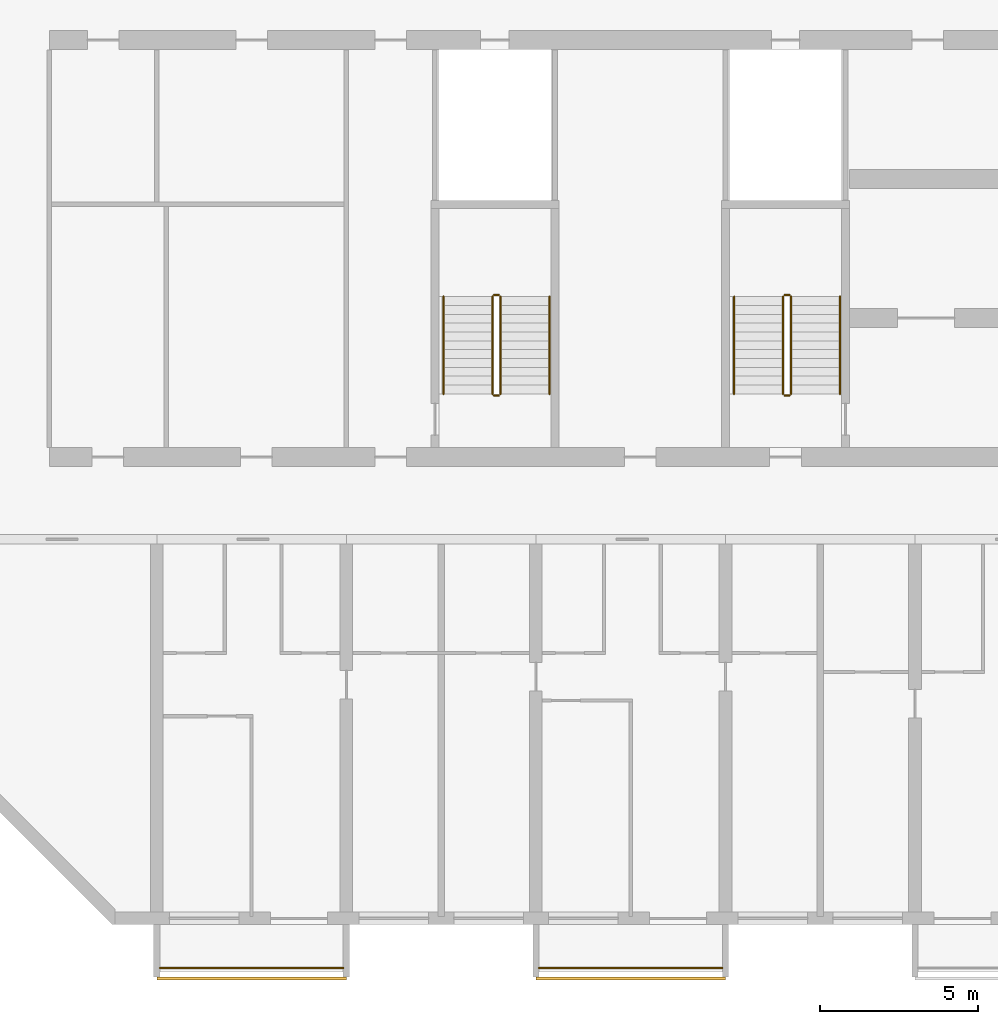
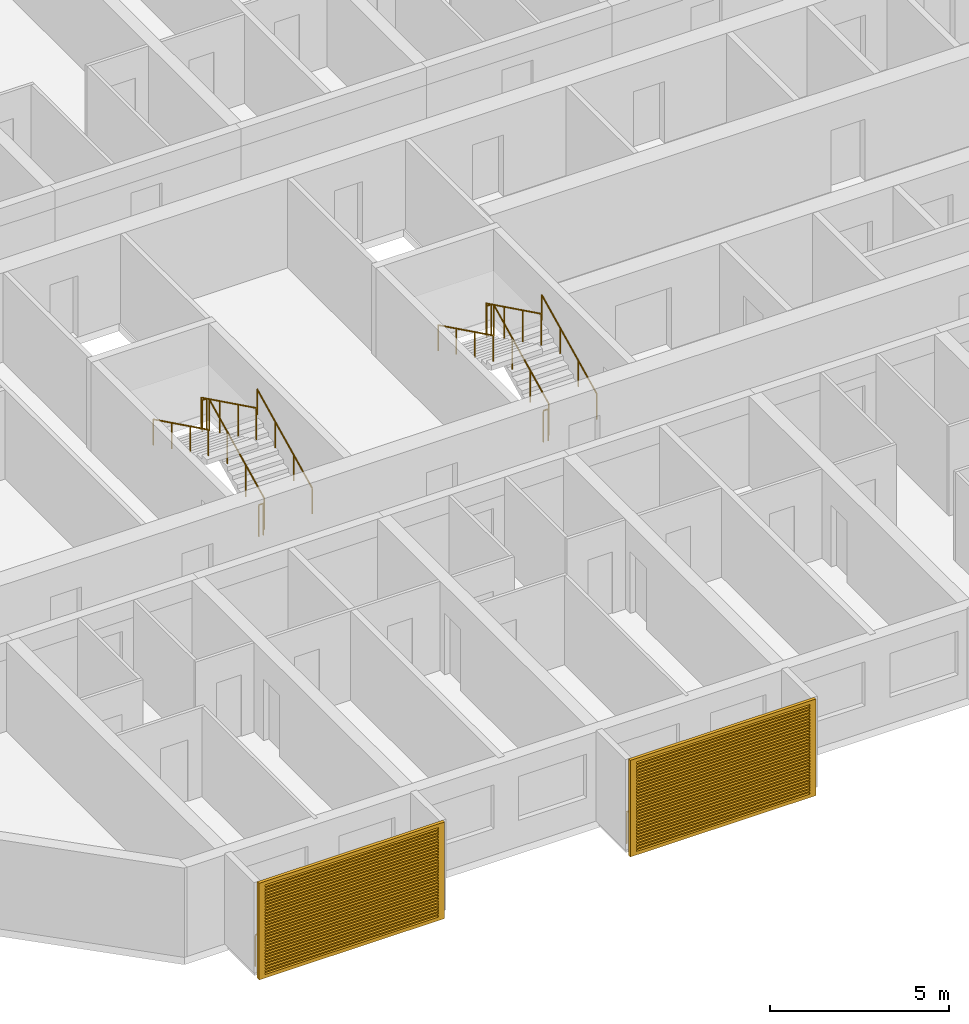
# One storey, part 18 of 39: 14 railings, 2 shading devices.
"""IFC4 building model written with IfcOpenShell, lengths in metres."""

from ifc_helpers import new_model, si_unit, direction, frame, origin, origin_2d, place, context, subcontext, project, spatial, polyline, circle, outline, extrude, source, transform, mapped, material, material_profile, profile_set, type_object, element, save


model = new_model("IFC4")

# Units and contexts
model_context = context("Model", 3, precision=1e-05, world=origin(), true_north=direction((0.0, 1.0)))
body_context = subcontext(model_context, "Body", "Model", "MODEL_VIEW")
ifc_project = project(units=[si_unit("LENGTHUNIT", "METRE"), si_unit("AREAUNIT", "SQUARE_METRE"), si_unit("VOLUMEUNIT", "CUBIC_METRE"), si_unit("PLANEANGLEUNIT", "RADIAN"), si_unit("MASSUNIT", "GRAM", prefix="KILO")], contexts=[model_context])

# Site, building, storey
site_placement = place(None, origin())
site = spatial("IfcSite", under=ifc_project, at=site_placement, CompositionType="ELEMENT")
building_placement = place(site_placement, origin())
building = spatial("IfcBuilding", under=site, at=building_placement, Name="Poui Terraces", CompositionType="ELEMENT")
storey_placement = place(building_placement, frame((0.0, 0.0, 59.699951171875)))
storey = spatial("IfcBuildingStorey", under=building, at=storey_placement, Name="L16", CompositionType="ELEMENT", Elevation=59.699951171875)

# Railings
ifc_material_1 = material(Name="Painted steel fretwork", Category="steel")
railing_type_1 = type_object("IfcRailingType", Name="BALCONY GUARD 1100", PredefinedType="GUARDRAIL", material=ifc_material_1)
for number, where, name in (
    (1, (12.10009765625, -1.570068359375, 0.0), "BALCONY GUARD"),
    (2, (24.10009765625, -1.570068359375, 0.0), "BALCONY GUARD"),
):
    element("IfcRailing", number, at=place(storey_placement, frame(where)), inside=storey, type_object=railing_type_1, Name=name, PredefinedType="GUARDRAIL", context=body_context, shape_type="SweptSolid", body=[
        extrude(circle(Radius=0.02392578125, at=origin_2d()), frame((0.0, 0.0, 1.076171875), z_axis=(1.0, 0.0, 0.0), x_axis=(0.0, 1.0, 0.0)), (0.0, 0.0, 1.0), 5.7998046875),
        extrude(circle(Radius=0.02099609375, at=origin_2d()), origin(), (0.0, 0.0, 1.0), 1.052001953125),
        extrude(circle(Radius=0.02099609375, at=origin_2d()), frame((0.966552734375, 0.0, 0.0)), (0.0, 0.0, 1.0), 1.052001953125),
        extrude(circle(Radius=0.02099609375, at=origin_2d()), frame((1.933349609375, 0.0, 0.0)), (0.0, 0.0, 1.0), 1.052001953125),
        extrude(circle(Radius=0.02099609375, at=origin_2d()), frame((2.89990234375, 0.0, 0.0)), (0.0, 0.0, 1.0), 1.052001953125),
        extrude(circle(Radius=0.02099609375, at=origin_2d()), frame((3.866455078125, 0.0, 0.0)), (0.0, 0.0, 1.0), 1.052001953125),
        extrude(circle(Radius=0.02099609375, at=origin_2d()), frame((4.833251953125, 0.0, 0.0)), (0.0, 0.0, 1.0), 1.052001953125),
        extrude(circle(Radius=0.02099609375, at=origin_2d()), frame((5.7998046875, 0.0, 0.0)), (0.0, 0.0, 1.0), 1.052001953125),
    ])
ifc_material_2 = material(Name="Galvanised steel balustrade", Category="steel")
railing_type_2 = type_object("IfcRailingType", Name="STAIR GUARD 1100", PredefinedType="GUARDRAIL", material=ifc_material_2)
railing_1_placement = place(storey_placement, frame((32.074951171875, 16.60009765625, 0.137451171875)))
element("IfcRailing", 3, at=railing_1_placement, inside=storey, type_object=railing_type_2, Name="L16 ST-CW stair guard 1", PredefinedType="GUARDRAIL", context=body_context, shape_type="SweptSolid", body=[
    extrude(circle(Radius=0.02392578125, at=origin_2d()), frame((0.0, 0.0, 1.076171875), z_axis=(0.0, 0.897578036475, 0.440855609512), x_axis=(-1.0, 0.0, 0.0)), (0.0, 0.0, 1.0), 3.43115234375),
    extrude(circle(Radius=0.02099609375, at=origin_2d()), origin(), (0.0, 0.0, 1.0), 1.052001953125),
    extrude(circle(Radius=0.02099609375, at=origin_2d()), frame((0.0, 1.026611328125, 0.504150390625)), (0.0, 0.0, 1.0), 1.052001953125),
    extrude(circle(Radius=0.02099609375, at=origin_2d()), frame((0.0, 2.05322265625, 1.008544921875)), (0.0, 0.0, 1.0), 1.052001953125),
    extrude(circle(Radius=0.02099609375, at=origin_2d()), frame((0.0, 3.079833984375, 1.5126953125)), (0.0, 0.0, 1.0), 1.052001953125),
])
railing_2_placement = place(storey_placement, frame((32.02490234375, 19.72998046875, 1.650146484375)))
element("IfcRailing", 4, at=railing_2_placement, inside=storey, type_object=railing_type_2, Name="L16 ST-CW stair guard 2", PredefinedType="GUARDRAIL", context=body_context, shape_type="SweptSolid", body=[
    extrude(circle(Radius=0.02392578125, at=origin_2d()), frame((0.0, 0.0, 1.076171875), z_axis=(-1.0, 0.0, 0.0), x_axis=(0.0, -1.0, 0.0)), (0.0, 0.0, 1.0), 0.14990234375),
    extrude(circle(Radius=0.02099609375, at=origin_2d()), origin(), (0.0, 0.0, 1.0), 1.052001953125),
    extrude(circle(Radius=0.02099609375, at=origin_2d()), frame((-0.14990234375, 0.0, 0.0)), (0.0, 0.0, 1.0), 1.052001953125),
])
railing_3_placement = place(storey_placement, frame((31.824951171875, 19.679931640625, 1.78759765625)))
element("IfcRailing", 5, at=railing_3_placement, inside=storey, type_object=railing_type_2, Name="L16 ST-CW stair guard 3", PredefinedType="GUARDRAIL", context=body_context, shape_type="SweptSolid", body=[
    extrude(circle(Radius=0.02392578125, at=origin_2d()), frame((0.0, 0.0, 1.076171875), z_axis=(0.0, -0.897606190399, 0.440798283751), x_axis=(1.0, 0.0, 0.0)), (0.0, 0.0, 1.0), 3.43115234375),
    extrude(circle(Radius=0.02099609375, at=origin_2d()), origin(), (0.0, 0.0, 1.0), 1.052001953125),
    extrude(circle(Radius=0.02099609375, at=origin_2d()), frame((0.0, -1.026611328125, 0.504150390625)), (0.0, 0.0, 1.0), 1.052001953125),
    extrude(circle(Radius=0.02099609375, at=origin_2d()), frame((0.0, -2.05322265625, 1.00830078125)), (0.0, 0.0, 1.0), 1.052001953125),
    extrude(circle(Radius=0.02099609375, at=origin_2d()), frame((0.0, -3.079833984375, 1.512451171875)), (0.0, 0.0, 1.0), 1.052001953125),
])
railing_4_placement = place(storey_placement, frame((32.02490234375, 16.550048828125, 0.0)))
element("IfcRailing", 6, at=railing_4_placement, inside=storey, type_object=railing_type_2, Name="L16 ST-CW stair guard 4", PredefinedType="GUARDRAIL", context=body_context, shape_type="SweptSolid", body=[
    extrude(circle(Radius=0.02392578125, at=origin_2d()), frame((0.0, 0.0, 1.076171875), z_axis=(-1.0, 0.0, 0.0), x_axis=(0.0, -1.0, 0.0)), (0.0, 0.0, 1.0), 0.14990234375),
    extrude(circle(Radius=0.02099609375, at=origin_2d()), origin(), (0.0, 0.0, 1.0), 1.052001953125),
    extrude(circle(Radius=0.02099609375, at=origin_2d()), frame((-0.14990234375, 0.0, 0.0)), (0.0, 0.0, 1.0), 1.052001953125),
])
railing_5_placement = place(storey_placement, frame((22.875, 16.60009765625, 0.137451171875)))
element("IfcRailing", 7, at=railing_5_placement, inside=storey, type_object=railing_type_2, Name="L16 ST-W stair guard 1", PredefinedType="GUARDRAIL", context=body_context, shape_type="SweptSolid", body=[
    extrude(circle(Radius=0.02392578125, at=origin_2d()), frame((0.0, 0.0, 1.076171875), z_axis=(0.0, 0.897578036475, 0.440855609512), x_axis=(-1.0, 0.0, 0.0)), (0.0, 0.0, 1.0), 3.43115234375),
    extrude(circle(Radius=0.02099609375, at=origin_2d()), origin(), (0.0, 0.0, 1.0), 1.052001953125),
    extrude(circle(Radius=0.02099609375, at=origin_2d()), frame((0.0, 1.026611328125, 0.504150390625)), (0.0, 0.0, 1.0), 1.052001953125),
    extrude(circle(Radius=0.02099609375, at=origin_2d()), frame((0.0, 2.05322265625, 1.008544921875)), (0.0, 0.0, 1.0), 1.052001953125),
    extrude(circle(Radius=0.02099609375, at=origin_2d()), frame((0.0, 3.079833984375, 1.5126953125)), (0.0, 0.0, 1.0), 1.052001953125),
])
railing_6_placement = place(storey_placement, frame((22.824951171875, 19.72998046875, 1.650146484375)))
element("IfcRailing", 8, at=railing_6_placement, inside=storey, type_object=railing_type_2, Name="L16 ST-W stair guard 2", PredefinedType="GUARDRAIL", context=body_context, shape_type="SweptSolid", body=[
    extrude(circle(Radius=0.02392578125, at=origin_2d()), frame((0.0, 0.0, 1.076171875), z_axis=(-1.0, 0.0, 0.0), x_axis=(0.0, -1.0, 0.0)), (0.0, 0.0, 1.0), 0.14990234375),
    extrude(circle(Radius=0.02099609375, at=origin_2d()), origin(), (0.0, 0.0, 1.0), 1.052001953125),
    extrude(circle(Radius=0.02099609375, at=origin_2d()), frame((-0.14990234375, 0.0, 0.0)), (0.0, 0.0, 1.0), 1.052001953125),
])
railing_7_placement = place(storey_placement, frame((22.625, 19.679931640625, 1.78759765625)))
element("IfcRailing", 9, at=railing_7_placement, inside=storey, type_object=railing_type_2, Name="L16 ST-W stair guard 3", PredefinedType="GUARDRAIL", context=body_context, shape_type="SweptSolid", body=[
    extrude(circle(Radius=0.02392578125, at=origin_2d()), frame((0.0, 0.0, 1.076171875), z_axis=(0.0, -0.897606190399, 0.440798283751), x_axis=(1.0, 0.0, 0.0)), (0.0, 0.0, 1.0), 3.43115234375),
    extrude(circle(Radius=0.02099609375, at=origin_2d()), origin(), (0.0, 0.0, 1.0), 1.052001953125),
    extrude(circle(Radius=0.02099609375, at=origin_2d()), frame((0.0, -1.026611328125, 0.504150390625)), (0.0, 0.0, 1.0), 1.052001953125),
    extrude(circle(Radius=0.02099609375, at=origin_2d()), frame((0.0, -2.05322265625, 1.00830078125)), (0.0, 0.0, 1.0), 1.052001953125),
    extrude(circle(Radius=0.02099609375, at=origin_2d()), frame((0.0, -3.079833984375, 1.512451171875)), (0.0, 0.0, 1.0), 1.052001953125),
])
railing_8_placement = place(storey_placement, frame((22.824951171875, 16.550048828125, 0.0)))
element("IfcRailing", 10, at=railing_8_placement, inside=storey, type_object=railing_type_2, Name="L16 ST-W stair guard 4", PredefinedType="GUARDRAIL", context=body_context, shape_type="SweptSolid", body=[
    extrude(circle(Radius=0.02392578125, at=origin_2d()), frame((0.0, 0.0, 1.076171875), z_axis=(-1.0, 0.0, 0.0), x_axis=(0.0, -1.0, 0.0)), (0.0, 0.0, 1.0), 0.14990234375),
    extrude(circle(Radius=0.02099609375, at=origin_2d()), origin(), (0.0, 0.0, 1.0), 1.052001953125),
    extrude(circle(Radius=0.02099609375, at=origin_2d()), frame((-0.14990234375, 0.0, 0.0)), (0.0, 0.0, 1.0), 1.052001953125),
])
ifc_material_3 = material(Name="Stainless steel handrail", Category="steel")
railing_type_3 = type_object("IfcRailingType", Name="STAIR HANDRAIL 900", PredefinedType="HANDRAIL", material=ifc_material_3)
railing_9_placement = place(storey_placement, frame((33.625, 16.60009765625, 0.137451171875)))
element("IfcRailing", 11, at=railing_9_placement, inside=storey, type_object=railing_type_3, Name="L16 ST-CW stair handrail 1", PredefinedType="HANDRAIL", context=body_context, shape_type="SweptSolid", body=[
    extrude(circle(Radius=0.02392578125, at=origin_2d()), frame((0.0, 0.0, 0.8759765625), z_axis=(0.0, 0.897578036475, 0.440855609512), x_axis=(-1.0, 0.0, 0.0)), (0.0, 0.0, 1.0), 3.43115234375),
    extrude(circle(Radius=0.02099609375, at=origin_2d()), origin(), (0.0, 0.0, 1.0), 0.851806640625),
    extrude(circle(Radius=0.02099609375, at=origin_2d()), frame((0.0, 1.026611328125, 0.504150390625)), (0.0, 0.0, 1.0), 0.851806640625),
    extrude(circle(Radius=0.02099609375, at=origin_2d()), frame((0.0, 2.05322265625, 1.008544921875)), (0.0, 0.0, 1.0), 0.851806640625),
    extrude(circle(Radius=0.02099609375, at=origin_2d()), frame((0.0, 3.079833984375, 1.5126953125)), (0.0, 0.0, 1.0), 0.851806640625),
])
railing_10_placement = place(storey_placement, frame((30.27490234375, 19.679931640625, 1.78759765625)))
element("IfcRailing", 12, at=railing_10_placement, inside=storey, type_object=railing_type_3, Name="L16 ST-CW stair handrail 2", PredefinedType="HANDRAIL", context=body_context, shape_type="SweptSolid", body=[
    extrude(circle(Radius=0.02392578125, at=origin_2d()), frame((0.0, 0.0, 0.8759765625), z_axis=(0.0, -0.897606190399, 0.440798283751), x_axis=(1.0, 0.0, 0.0)), (0.0, 0.0, 1.0), 3.43115234375),
    extrude(circle(Radius=0.02099609375, at=origin_2d()), origin(), (0.0, 0.0, 1.0), 0.851806640625),
    extrude(circle(Radius=0.02099609375, at=origin_2d()), frame((0.0, -1.026611328125, 0.504150390625)), (0.0, 0.0, 1.0), 0.851806640625),
    extrude(circle(Radius=0.02099609375, at=origin_2d()), frame((0.0, -2.05322265625, 1.00830078125)), (0.0, 0.0, 1.0), 0.851806640625),
    extrude(circle(Radius=0.02099609375, at=origin_2d()), frame((0.0, -3.079833984375, 1.512451171875)), (0.0, 0.0, 1.0), 0.851806640625),
])
railing_11_placement = place(storey_placement, frame((24.425048828125, 16.60009765625, 0.137451171875)))
element("IfcRailing", 13, at=railing_11_placement, inside=storey, type_object=railing_type_3, Name="L16 ST-W stair handrail 1", PredefinedType="HANDRAIL", context=body_context, shape_type="SweptSolid", body=[
    extrude(circle(Radius=0.02392578125, at=origin_2d()), frame((0.0, 0.0, 0.8759765625), z_axis=(0.0, 0.897578036475, 0.440855609512), x_axis=(-1.0, 0.0, 0.0)), (0.0, 0.0, 1.0), 3.43115234375),
    extrude(circle(Radius=0.02099609375, at=origin_2d()), origin(), (0.0, 0.0, 1.0), 0.851806640625),
    extrude(circle(Radius=0.02099609375, at=origin_2d()), frame((0.0, 1.026611328125, 0.504150390625)), (0.0, 0.0, 1.0), 0.851806640625),
    extrude(circle(Radius=0.02099609375, at=origin_2d()), frame((0.0, 2.05322265625, 1.008544921875)), (0.0, 0.0, 1.0), 0.851806640625),
    extrude(circle(Radius=0.02099609375, at=origin_2d()), frame((0.0, 3.079833984375, 1.5126953125)), (0.0, 0.0, 1.0), 0.851806640625),
])
railing_12_placement = place(storey_placement, frame((21.074951171875, 19.679931640625, 1.78759765625)))
element("IfcRailing", 14, at=railing_12_placement, inside=storey, type_object=railing_type_3, Name="L16 ST-W stair handrail 2", PredefinedType="HANDRAIL", context=body_context, shape_type="SweptSolid", body=[
    extrude(circle(Radius=0.02392578125, at=origin_2d()), frame((0.0, 0.0, 0.8759765625), z_axis=(0.0, -0.897606190399, 0.440798283751), x_axis=(1.0, 0.0, 0.0)), (0.0, 0.0, 1.0), 3.43115234375),
    extrude(circle(Radius=0.02099609375, at=origin_2d()), origin(), (0.0, 0.0, 1.0), 0.851806640625),
    extrude(circle(Radius=0.02099609375, at=origin_2d()), frame((0.0, -1.026611328125, 0.504150390625)), (0.0, 0.0, 1.0), 0.851806640625),
    extrude(circle(Radius=0.02099609375, at=origin_2d()), frame((0.0, -2.05322265625, 1.00830078125)), (0.0, 0.0, 1.0), 0.851806640625),
    extrude(circle(Radius=0.02099609375, at=origin_2d()), frame((0.0, -3.079833984375, 1.512451171875)), (0.0, 0.0, 1.0), 0.851806640625),
])

# Shading devices
ifc_material_4 = material(Name="Aluminium louvre", Category="aluminium")
ifc_material_profile = material_profile(ifc_material_4, outline(polyline([(-3.0, -1.64990234375), (3.0, -1.64990234375), (3.0, 1.64990234375), (-3.0, 1.64990234375), (-3.0, -1.64990234375)]), holes=[polyline([(-2.800048828125, -1.530029296875), (2.800048828125, -1.530029296875), (2.800048828125, -1.469970703125), (-2.800048828125, -1.469970703125), (-2.800048828125, -1.530029296875)]), polyline([(-2.800048828125, -1.429931640625), (2.800048828125, -1.429931640625), (2.800048828125, -1.3701171875), (-2.800048828125, -1.3701171875), (-2.800048828125, -1.429931640625)]), polyline([(-2.800048828125, -1.330078125), (2.800048828125, -1.330078125), (2.800048828125, -1.27001953125), (-2.800048828125, -1.27001953125), (-2.800048828125, -1.330078125)]), polyline([(-2.800048828125, -1.22998046875), (2.800048828125, -1.22998046875), (2.800048828125, -1.169921875), (-2.800048828125, -1.169921875), (-2.800048828125, -1.22998046875)]), polyline([(-2.800048828125, -1.1298828125), (2.800048828125, -1.1298828125), (2.800048828125, -1.070068359375), (-2.800048828125, -1.070068359375), (-2.800048828125, -1.1298828125)]), polyline([(-2.800048828125, -1.030029296875), (2.800048828125, -1.030029296875), (2.800048828125, -0.969970703125), (-2.800048828125, -0.969970703125), (-2.800048828125, -1.030029296875)]), polyline([(-2.800048828125, -0.929931640625), (2.800048828125, -0.929931640625), (2.800048828125, -0.8701171875), (-2.800048828125, -0.8701171875), (-2.800048828125, -0.929931640625)]), polyline([(-2.800048828125, -0.830078125), (2.800048828125, -0.830078125), (2.800048828125, -0.77001953125), (-2.800048828125, -0.77001953125), (-2.800048828125, -0.830078125)]), polyline([(-2.800048828125, -0.72998046875), (2.800048828125, -0.72998046875), (2.800048828125, -0.669921875), (-2.800048828125, -0.669921875), (-2.800048828125, -0.72998046875)]), polyline([(-2.800048828125, -0.6298828125), (2.800048828125, -0.6298828125), (2.800048828125, -0.570068359375), (-2.800048828125, -0.570068359375), (-2.800048828125, -0.6298828125)]), polyline([(-2.800048828125, -0.530029296875), (2.800048828125, -0.530029296875), (2.800048828125, -0.469970703125), (-2.800048828125, -0.469970703125), (-2.800048828125, -0.530029296875)]), polyline([(-2.800048828125, -0.429931640625), (2.800048828125, -0.429931640625), (2.800048828125, -0.3701171875), (-2.800048828125, -0.3701171875), (-2.800048828125, -0.429931640625)]), polyline([(-2.800048828125, -0.330078125), (2.800048828125, -0.330078125), (2.800048828125, -0.27001953125), (-2.800048828125, -0.27001953125), (-2.800048828125, -0.330078125)]), polyline([(-2.800048828125, -0.22998046875), (2.800048828125, -0.22998046875), (2.800048828125, -0.169921875), (-2.800048828125, -0.169921875), (-2.800048828125, -0.22998046875)]), polyline([(-2.800048828125, -0.1298828125), (2.800048828125, -0.1298828125), (2.800048828125, -0.070068359375), (-2.800048828125, -0.070068359375), (-2.800048828125, -0.1298828125)]), polyline([(-2.800048828125, -0.030029296875), (2.800048828125, -0.030029296875), (2.800048828125, 0.030029296875), (-2.800048828125, 0.030029296875), (-2.800048828125, -0.030029296875)]), polyline([(-2.800048828125, 0.070068359375), (2.800048828125, 0.070068359375), (2.800048828125, 0.1298828125), (-2.800048828125, 0.1298828125), (-2.800048828125, 0.070068359375)]), polyline([(-2.800048828125, 0.169921875), (2.800048828125, 0.169921875), (2.800048828125, 0.22998046875), (-2.800048828125, 0.22998046875), (-2.800048828125, 0.169921875)]), polyline([(-2.800048828125, 0.27001953125), (2.800048828125, 0.27001953125), (2.800048828125, 0.330078125), (-2.800048828125, 0.330078125), (-2.800048828125, 0.27001953125)]), polyline([(-2.800048828125, 0.3701171875), (2.800048828125, 0.3701171875), (2.800048828125, 0.429931640625), (-2.800048828125, 0.429931640625), (-2.800048828125, 0.3701171875)]), polyline([(-2.800048828125, 0.469970703125), (2.800048828125, 0.469970703125), (2.800048828125, 0.530029296875), (-2.800048828125, 0.530029296875), (-2.800048828125, 0.469970703125)]), polyline([(-2.800048828125, 0.570068359375), (2.800048828125, 0.570068359375), (2.800048828125, 0.6298828125), (-2.800048828125, 0.6298828125), (-2.800048828125, 0.570068359375)]), polyline([(-2.800048828125, 0.669921875), (2.800048828125, 0.669921875), (2.800048828125, 0.72998046875), (-2.800048828125, 0.72998046875), (-2.800048828125, 0.669921875)]), polyline([(-2.800048828125, 0.77001953125), (2.800048828125, 0.77001953125), (2.800048828125, 0.830078125), (-2.800048828125, 0.830078125), (-2.800048828125, 0.77001953125)]), polyline([(-2.800048828125, 0.8701171875), (2.800048828125, 0.8701171875), (2.800048828125, 0.929931640625), (-2.800048828125, 0.929931640625), (-2.800048828125, 0.8701171875)]), polyline([(-2.800048828125, 0.969970703125), (2.800048828125, 0.969970703125), (2.800048828125, 1.030029296875), (-2.800048828125, 1.030029296875), (-2.800048828125, 0.969970703125)]), polyline([(-2.800048828125, 1.070068359375), (2.800048828125, 1.070068359375), (2.800048828125, 1.1298828125), (-2.800048828125, 1.1298828125), (-2.800048828125, 1.070068359375)]), polyline([(-2.800048828125, 1.169921875), (2.800048828125, 1.169921875), (2.800048828125, 1.22998046875), (-2.800048828125, 1.22998046875), (-2.800048828125, 1.169921875)]), polyline([(-2.800048828125, 1.27001953125), (2.800048828125, 1.27001953125), (2.800048828125, 1.330078125), (-2.800048828125, 1.330078125), (-2.800048828125, 1.27001953125)]), polyline([(-2.800048828125, 1.3701171875), (2.800048828125, 1.3701171875), (2.800048828125, 1.429931640625), (-2.800048828125, 1.429931640625), (-2.800048828125, 1.3701171875)]), polyline([(-2.800048828125, 1.469970703125), (2.800048828125, 1.469970703125), (2.800048828125, 1.530029296875), (-2.800048828125, 1.530029296875), (-2.800048828125, 1.469970703125)])]), Name="JALOUSIE LOUVRE SHUTTER 6000X3300")
ifc_profile_set = profile_set([ifc_material_profile], Name="Aluminium louvre")
shading_device_type = type_object("IfcShadingDeviceType", Name="JALOUSIE LOUVRE SHUTTER 6000X3300", PredefinedType="JALOUSIE", material=ifc_profile_set)
shared_shape = source(origin(), body_context, "Body", "SweptSolid", [
    extrude(outline(polyline([(-3.0, -1.64990234375), (3.0, -1.64990234375), (3.0, 1.64990234375), (-3.0, 1.64990234375), (-3.0, -1.64990234375)]), holes=[polyline([(-2.800048828125, -1.530029296875), (2.800048828125, -1.530029296875), (2.800048828125, -1.469970703125), (-2.800048828125, -1.469970703125), (-2.800048828125, -1.530029296875)]), polyline([(-2.800048828125, -1.429931640625), (2.800048828125, -1.429931640625), (2.800048828125, -1.3701171875), (-2.800048828125, -1.3701171875), (-2.800048828125, -1.429931640625)]), polyline([(-2.800048828125, -1.330078125), (2.800048828125, -1.330078125), (2.800048828125, -1.27001953125), (-2.800048828125, -1.27001953125), (-2.800048828125, -1.330078125)]), polyline([(-2.800048828125, -1.22998046875), (2.800048828125, -1.22998046875), (2.800048828125, -1.169921875), (-2.800048828125, -1.169921875), (-2.800048828125, -1.22998046875)]), polyline([(-2.800048828125, -1.1298828125), (2.800048828125, -1.1298828125), (2.800048828125, -1.070068359375), (-2.800048828125, -1.070068359375), (-2.800048828125, -1.1298828125)]), polyline([(-2.800048828125, -1.030029296875), (2.800048828125, -1.030029296875), (2.800048828125, -0.969970703125), (-2.800048828125, -0.969970703125), (-2.800048828125, -1.030029296875)]), polyline([(-2.800048828125, -0.929931640625), (2.800048828125, -0.929931640625), (2.800048828125, -0.8701171875), (-2.800048828125, -0.8701171875), (-2.800048828125, -0.929931640625)]), polyline([(-2.800048828125, -0.830078125), (2.800048828125, -0.830078125), (2.800048828125, -0.77001953125), (-2.800048828125, -0.77001953125), (-2.800048828125, -0.830078125)]), polyline([(-2.800048828125, -0.72998046875), (2.800048828125, -0.72998046875), (2.800048828125, -0.669921875), (-2.800048828125, -0.669921875), (-2.800048828125, -0.72998046875)]), polyline([(-2.800048828125, -0.6298828125), (2.800048828125, -0.6298828125), (2.800048828125, -0.570068359375), (-2.800048828125, -0.570068359375), (-2.800048828125, -0.6298828125)]), polyline([(-2.800048828125, -0.530029296875), (2.800048828125, -0.530029296875), (2.800048828125, -0.469970703125), (-2.800048828125, -0.469970703125), (-2.800048828125, -0.530029296875)]), polyline([(-2.800048828125, -0.429931640625), (2.800048828125, -0.429931640625), (2.800048828125, -0.3701171875), (-2.800048828125, -0.3701171875), (-2.800048828125, -0.429931640625)]), polyline([(-2.800048828125, -0.330078125), (2.800048828125, -0.330078125), (2.800048828125, -0.27001953125), (-2.800048828125, -0.27001953125), (-2.800048828125, -0.330078125)]), polyline([(-2.800048828125, -0.22998046875), (2.800048828125, -0.22998046875), (2.800048828125, -0.169921875), (-2.800048828125, -0.169921875), (-2.800048828125, -0.22998046875)]), polyline([(-2.800048828125, -0.1298828125), (2.800048828125, -0.1298828125), (2.800048828125, -0.070068359375), (-2.800048828125, -0.070068359375), (-2.800048828125, -0.1298828125)]), polyline([(-2.800048828125, -0.030029296875), (2.800048828125, -0.030029296875), (2.800048828125, 0.030029296875), (-2.800048828125, 0.030029296875), (-2.800048828125, -0.030029296875)]), polyline([(-2.800048828125, 0.070068359375), (2.800048828125, 0.070068359375), (2.800048828125, 0.1298828125), (-2.800048828125, 0.1298828125), (-2.800048828125, 0.070068359375)]), polyline([(-2.800048828125, 0.169921875), (2.800048828125, 0.169921875), (2.800048828125, 0.22998046875), (-2.800048828125, 0.22998046875), (-2.800048828125, 0.169921875)]), polyline([(-2.800048828125, 0.27001953125), (2.800048828125, 0.27001953125), (2.800048828125, 0.330078125), (-2.800048828125, 0.330078125), (-2.800048828125, 0.27001953125)]), polyline([(-2.800048828125, 0.3701171875), (2.800048828125, 0.3701171875), (2.800048828125, 0.429931640625), (-2.800048828125, 0.429931640625), (-2.800048828125, 0.3701171875)]), polyline([(-2.800048828125, 0.469970703125), (2.800048828125, 0.469970703125), (2.800048828125, 0.530029296875), (-2.800048828125, 0.530029296875), (-2.800048828125, 0.469970703125)]), polyline([(-2.800048828125, 0.570068359375), (2.800048828125, 0.570068359375), (2.800048828125, 0.6298828125), (-2.800048828125, 0.6298828125), (-2.800048828125, 0.570068359375)]), polyline([(-2.800048828125, 0.669921875), (2.800048828125, 0.669921875), (2.800048828125, 0.72998046875), (-2.800048828125, 0.72998046875), (-2.800048828125, 0.669921875)]), polyline([(-2.800048828125, 0.77001953125), (2.800048828125, 0.77001953125), (2.800048828125, 0.830078125), (-2.800048828125, 0.830078125), (-2.800048828125, 0.77001953125)]), polyline([(-2.800048828125, 0.8701171875), (2.800048828125, 0.8701171875), (2.800048828125, 0.929931640625), (-2.800048828125, 0.929931640625), (-2.800048828125, 0.8701171875)]), polyline([(-2.800048828125, 0.969970703125), (2.800048828125, 0.969970703125), (2.800048828125, 1.030029296875), (-2.800048828125, 1.030029296875), (-2.800048828125, 0.969970703125)]), polyline([(-2.800048828125, 1.070068359375), (2.800048828125, 1.070068359375), (2.800048828125, 1.1298828125), (-2.800048828125, 1.1298828125), (-2.800048828125, 1.070068359375)]), polyline([(-2.800048828125, 1.169921875), (2.800048828125, 1.169921875), (2.800048828125, 1.22998046875), (-2.800048828125, 1.22998046875), (-2.800048828125, 1.169921875)]), polyline([(-2.800048828125, 1.27001953125), (2.800048828125, 1.27001953125), (2.800048828125, 1.330078125), (-2.800048828125, 1.330078125), (-2.800048828125, 1.27001953125)]), polyline([(-2.800048828125, 1.3701171875), (2.800048828125, 1.3701171875), (2.800048828125, 1.429931640625), (-2.800048828125, 1.429931640625), (-2.800048828125, 1.3701171875)]), polyline([(-2.800048828125, 1.469970703125), (2.800048828125, 1.469970703125), (2.800048828125, 1.530029296875), (-2.800048828125, 1.530029296875), (-2.800048828125, 1.469970703125)])]), origin(), (0.0, 0.0, 1.0), 0.099853515625),
])
for number, where, z_axis, x_axis, name in (
    (15, (15.0, -1.85009765625, 1.449951171875), (0.0, -1.0, 0.0), (1.0, 0.0, 0.0), "JALOUSIE LOUVRE SHUTTER"),
    (16, (27.0, -1.85009765625, 1.449951171875), (0.0, -1.0, 0.0), (1.0, 0.0, 0.0), "JALOUSIE LOUVRE SHUTTER"),
):
    element("IfcShadingDevice", number, at=place(storey_placement, frame(where, z_axis=z_axis, x_axis=x_axis)), inside=storey, type_object=shading_device_type, Name=name, PredefinedType="JALOUSIE", context=body_context, shape_type="MappedRepresentation", body=[
        mapped(shared_shape, transform((0.0, 0.0, 0.0))),
    ])

save(model, "model.ifc")
